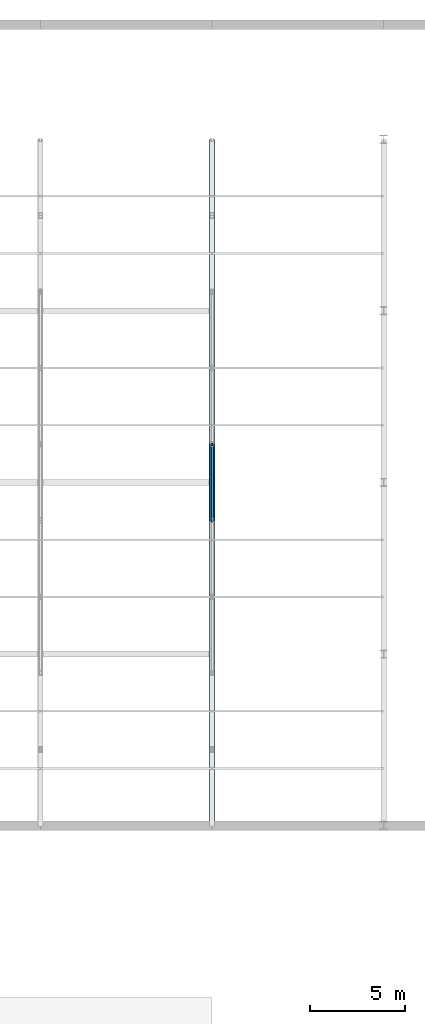
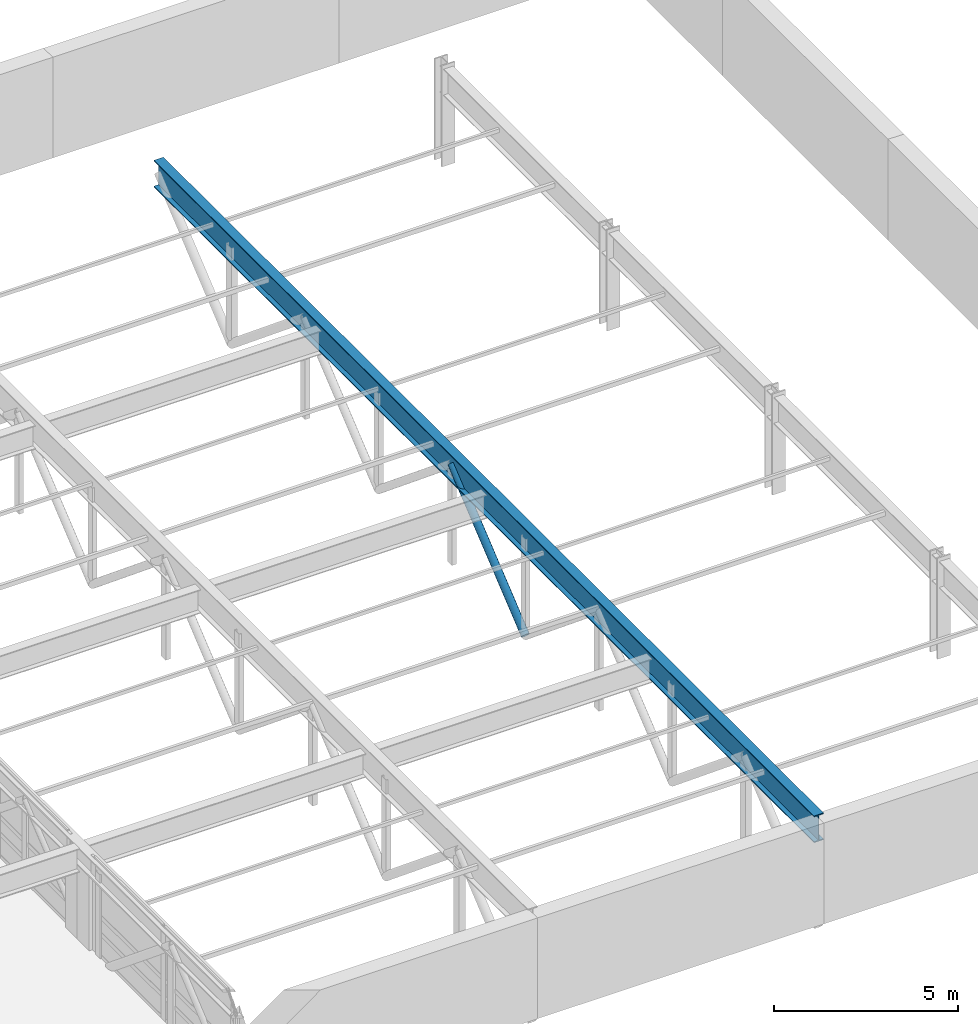
# One storey, part 58 of 91: 1 beam, 1 member.
"""IFC4 building model written with IfcOpenShell, lengths in metres."""

import ifcopenshell
import ifcopenshell.guid

model = None  # the IFC model being written
_history = None  # IfcOwnerHistory: only IFC2X3 demands one
_inside = {}  # id of a spatial element -> (the spatial element, [elements in it])
_under = {}  # id of a project, library or spatial element -> (it, [spatial elements below it])
_declared = {}  # id of a project -> (the project, [libraries it declares])
_typed = {}  # id of a type object -> (the type object, [elements of that type])
_made_of = {}  # id of a material, layer set ... -> (it, [elements and type objects made of it])


def new_model(schema):
    """Start an empty IFC model of exactly this schema.

    Asked for "IFC4X3", IfcOpenShell would pick the latest addendum, in which some entities
    have other attributes; the version numbers below select the first issue.
    IFC2X3 requires an IfcOwnerHistory on every rooted entity: one is made here for all.
    """
    global model, _history
    if schema == "IFC4X3":
        model = ifcopenshell.file(schema_version=(4, 3, 0, 0))
    else:
        model = ifcopenshell.file(schema=schema)
    _inside.clear()
    _under.clear()
    _declared.clear()
    _typed.clear()
    _made_of.clear()
    _history = None
    if model.schema == "IFC2X3":
        org = make("IfcOrganization", Name="unknown")
        user = make(
            "IfcPersonAndOrganization",
            ThePerson=make("IfcPerson", FamilyName="unknown"),
            TheOrganization=org,
        )
        app = make(
            "IfcApplication",
            ApplicationDeveloper=org,
            Version="unknown",
            ApplicationFullName="unknown",
            ApplicationIdentifier="unknown",
        )
        _history = make(
            "IfcOwnerHistory",
            OwningUser=user,
            OwningApplication=app,
            ChangeAction="ADDED",
            CreationDate=0,
        )
    return model


def make(cls, **values):
    """One entity of the class cls with the attributes given. An attribute that is None is left unset."""
    return model.create_entity(
        cls, **{name: value for name, value in values.items() if value is not None}
    )


def rooted(cls, **values):
    """An entity with a GlobalId (a new one), such as an element, a storey or a relation."""
    return make(cls, GlobalId=ifcopenshell.guid.new(), OwnerHistory=_history, **values)


def si_unit(unit_type, name, prefix=None):
    """IfcSIUnit, for example si_unit("LENGTHUNIT", "METRE", prefix="MILLI")."""
    return make("IfcSIUnit", UnitType=unit_type, Prefix=prefix, Name=name)


def assignment(units):
    """IfcUnitAssignment: the units of a project."""
    return None if units is None else make("IfcUnitAssignment", Units=units)


def point(xyz):
    """IfcCartesianPoint."""
    return None if xyz is None else make("IfcCartesianPoint", Coordinates=xyz)


def direction(xyz):
    """IfcDirection."""
    return None if xyz is None else make("IfcDirection", DirectionRatios=xyz)


def frame(location, z_axis=None, x_axis=None):
    """IfcAxis2Placement3D, a coordinate frame: its origin and axes. An axis left out is left unset."""
    return make(
        "IfcAxis2Placement3D",
        Location=point(location),
        Axis=direction(z_axis),
        RefDirection=direction(x_axis),
    )


def frame_2d(location, x_axis=None):
    """IfcAxis2Placement2D, a coordinate frame in the plane: its origin and x axis."""
    return make(
        "IfcAxis2Placement2D", Location=point(location), RefDirection=direction(x_axis)
    )


def origin():
    """The frame at (0, 0, 0) with its axes left unset."""
    return frame((0.0, 0.0, 0.0))


def origin_2d():
    """The frame at (0, 0) in the plane with its x axis left unset."""
    return frame_2d((0.0, 0.0))


def place(relative_to, where):
    """IfcLocalPlacement: puts the frame where relative to a parent placement (None: the world)."""
    return make(
        "IfcLocalPlacement", PlacementRelTo=relative_to, RelativePlacement=where
    )


def context(
    kind, dimensions, precision=None, world=None, true_north=None, identifier=None
):
    """IfcGeometricRepresentationContext, for example the 3D "Model" context."""
    return make(
        "IfcGeometricRepresentationContext",
        ContextIdentifier=identifier,
        ContextType=kind,
        CoordinateSpaceDimension=dimensions,
        Precision=precision,
        WorldCoordinateSystem=world,
        TrueNorth=true_north,
    )


def subcontext(parent, identifier, kind, view, scale=None):
    """IfcGeometricRepresentationSubContext, for example "Body" below "Model"."""
    return make(
        "IfcGeometricRepresentationSubContext",
        ContextIdentifier=identifier,
        ContextType=kind,
        ParentContext=parent,
        TargetScale=scale,
        TargetView=view,
    )


def project(units=None, contexts=None):
    """IfcProject with its units and contexts."""
    return rooted(
        "IfcProject",
        Name="project",
        RepresentationContexts=contexts,
        UnitsInContext=assignment(units),
    )


def spatial(cls, under=None, at=None, **own):
    """A site, building, storey or space (cls), placed at a placement, below another one or the project."""
    s = rooted(cls, ObjectPlacement=at, **own)
    if under is not None:
        _under.setdefault(under.id(), (under, []))[1].append(s)
    return s


def profile(cls, at=None, kind="AREA", **sizes):
    """A parametric profile (cls). Its sizes go by their IFC names, for example OverallWidth=200.0."""
    return make(cls, ProfileType=kind, Position=at, **sizes)


def hollow_circle(**sizes):
    """IfcCircleHollowProfileDef."""
    return profile("IfcCircleHollowProfileDef", **sizes)


def i_section(**sizes):
    """IfcIShapeProfileDef."""
    return profile("IfcIShapeProfileDef", **sizes)


def extrude(swept, where, along, depth):
    """IfcExtrudedAreaSolid: the profile swept, set in the frame where, extruded along a direction by depth."""
    return make(
        "IfcExtrudedAreaSolid",
        SweptArea=swept,
        Position=where,
        ExtrudedDirection=direction(along),
        Depth=depth,
    )


def shape(context_of_items, identifier, shape_type, items):
    """IfcShapeRepresentation: the items that make up one representation, for example the "Body"."""
    return make(
        "IfcShapeRepresentation",
        ContextOfItems=context_of_items,
        RepresentationIdentifier=identifier,
        RepresentationType=shape_type,
        Items=items,
    )


def material(Name=None, Category=None):
    """IfcMaterial."""
    return make("IfcMaterial", Name=Name, Category=Category)


def material_profile(
    of_material, cross_section, Name=None, Category=None, Priority=None
):
    """IfcMaterialProfile: a cross section and its material."""
    return make(
        "IfcMaterialProfile",
        Name=Name,
        Material=of_material,
        Profile=cross_section,
        Priority=Priority,
        Category=Category,
    )


def profile_set(profiles, Name=None, composite=None):
    """IfcMaterialProfileSet."""
    return make(
        "IfcMaterialProfileSet",
        Name=Name,
        MaterialProfiles=profiles,
        CompositeProfile=composite,
    )


def made_of(thing, what):
    """Note that an element or type object is made of a material, layer set ...; save() writes the relation."""
    if what is not None:
        _made_of.setdefault(what.id(), (what, []))[1].append(thing)
    return thing


def type_object(cls, material=None, **own):
    """A type object (cls), such as IfcWallType, which elements share."""
    return made_of(rooted(cls, **own), material)


def element(
    cls,
    number,
    at=None,
    inside=None,
    cuts=None,
    type_object=None,
    material=None,
    context=None,
    identifier="Body",
    shape_type=None,
    held_by="IfcProductDefinitionShape",
    body=None,
    shapes=None,
    **own,
):
    """One element of the class cls, such as IfcWall. Its Tag is "e" and its number.

    at: its placement. inside: the storey or other place that contains it. cuts: it is an
    opening in that element (IfcRelVoidsElement). A single representation is given by context,
    identifier, shape_type and body (its items); several are given by shapes. held_by: the class
    of the entity that holds the representations. save() writes the other relations.
    """
    e = rooted(cls, Tag="e%d" % number, ObjectPlacement=at, **own)
    if body is not None:
        shapes = [shape(context, identifier, shape_type, body)]
    if shapes is not None:
        e.Representation = make(held_by, Representations=shapes)
    if inside is not None:
        _inside.setdefault(inside.id(), (inside, []))[1].append(e)
    if cuts is not None:
        rooted(
            "IfcRelVoidsElement", RelatingBuildingElement=cuts, RelatedOpeningElement=e
        )
    if type_object is not None:
        _typed.setdefault(type_object.id(), (type_object, []))[1].append(e)
    return made_of(e, material)


def aggregate(whole, parts):
    """IfcRelAggregates: a whole, such as a stair, and the parts it consists of."""
    return rooted("IfcRelAggregates", RelatingObject=whole, RelatedObjects=parts)


def save(model, path):
    """Write the relations noted so far, then the file.

    IfcRelAggregates (storeys below a building ...), IfcRelContainedInSpatialStructure (elements
    in a storey), IfcRelDefinesByType, IfcRelAssociatesMaterial and IfcRelDeclares: one each for
    every whole, place, type object, material and project.
    """
    for whole, parts in _under.values():
        aggregate(whole, parts)
    for where, things in _inside.values():
        rooted(
            "IfcRelContainedInSpatialStructure",
            RelatedElements=things,
            RelatingStructure=where,
        )
    for kind, things in _typed.values():
        rooted("IfcRelDefinesByType", RelatedObjects=things, RelatingType=kind)
    for what, things in _made_of.values():
        rooted("IfcRelAssociatesMaterial", RelatedObjects=things, RelatingMaterial=what)
    for by, libraries in _declared.values():
        rooted("IfcRelDeclares", RelatingContext=by, RelatedDefinitions=libraries)
    model.write(path)


model = new_model("IFC4")

# Units and contexts
model_context = context("Model", 3, precision=1e-05, world=origin(), true_north=direction((0.0, 1.0)))
body_context = subcontext(model_context, "Body", "Model", "MODEL_VIEW")
ifc_project = project(units=[si_unit("LENGTHUNIT", "METRE"), si_unit("AREAUNIT", "SQUARE_METRE"), si_unit("VOLUMEUNIT", "CUBIC_METRE"), si_unit("PLANEANGLEUNIT", "RADIAN"), si_unit("MASSUNIT", "GRAM", prefix="KILO")], contexts=[model_context])

# Site, building, storey
site_placement = place(None, origin())
site = spatial("IfcSite", under=ifc_project, at=site_placement, CompositionType="ELEMENT")
building_placement = place(site_placement, origin())
building = spatial("IfcBuilding", under=site, at=building_placement, Name="Palais des Congres Ocreval", CompositionType="ELEMENT")
storey_placement = place(building_placement, frame((0.0, 0.0, 8.159912109375)))
storey = spatial("IfcBuildingStorey", under=building, at=storey_placement, Name="L02", CompositionType="ELEMENT", Elevation=8.159912109375)

# Member
ifc_material = material(Name="Steel S355", Category="steel")
ifc_material_profile_1 = material_profile(ifc_material, hollow_circle(Radius=0.122314453125, WallThickness=0.012451171875, at=origin_2d()), Name="CHS 244.5x12.5")
ifc_profile_set_1 = profile_set([ifc_material_profile_1], Name="Steel S355")
member_type = type_object("IfcMemberType", Name="Diagonal Brace CHS 244.5x12.5 Steel S355", PredefinedType="BRACE", material=ifc_profile_set_1)
member_placement = place(storey_placement, frame((144.0, 88.0, -0.5), z_axis=(0.0, 0.772316531173, 0.635237889044), x_axis=(-1.0, 0.0, 0.0)))
element("IfcMember", 1, at=member_placement, inside=storey, type_object=member_type, Name="Transfer Truss Web Diagonal V2-144-5", PredefinedType="BRACE", context=body_context, shape_type="SweptSolid", body=[
    extrude(hollow_circle(Radius=0.122314453125, WallThickness=0.012451171875, at=origin_2d()), origin(), (0.0, 0.0, 1.0), 5.17919921875),
])

# Beam
ifc_material_profile_2 = material_profile(ifc_material, i_section(OverallWidth=0.300048828125, OverallDepth=0.889892578125, WebThickness=0.01611328125, FlangeThickness=0.030029296875, at=origin_2d()), Name="HEA 900")
ifc_profile_set_2 = profile_set([ifc_material_profile_2], Name="Steel S355")
beam_type = type_object("IfcBeamType", Name="Long-Span Girder HEA 900 Steel S355", PredefinedType="BEAM", material=ifc_profile_set_2)
beam_placement = place(storey_placement, frame((144.0, 72.02001953125, 2.7900390625), z_axis=(0.0, 1.0, 0.0), x_axis=(-1.0, 0.0, 0.0)))
element("IfcBeam", 2, at=beam_placement, inside=storey, type_object=beam_type, Name="Ballroom Transfer Truss Top Girder B16", PredefinedType="BEAM", context=body_context, shape_type="SweptSolid", body=[
    extrude(i_section(OverallWidth=0.300048828125, OverallDepth=0.889892578125, WebThickness=0.01611328125, FlangeThickness=0.030029296875, at=origin_2d()), origin(), (0.0, 0.0, 1.0), 35.9599609375),
])

save(model, "model.ifc")
